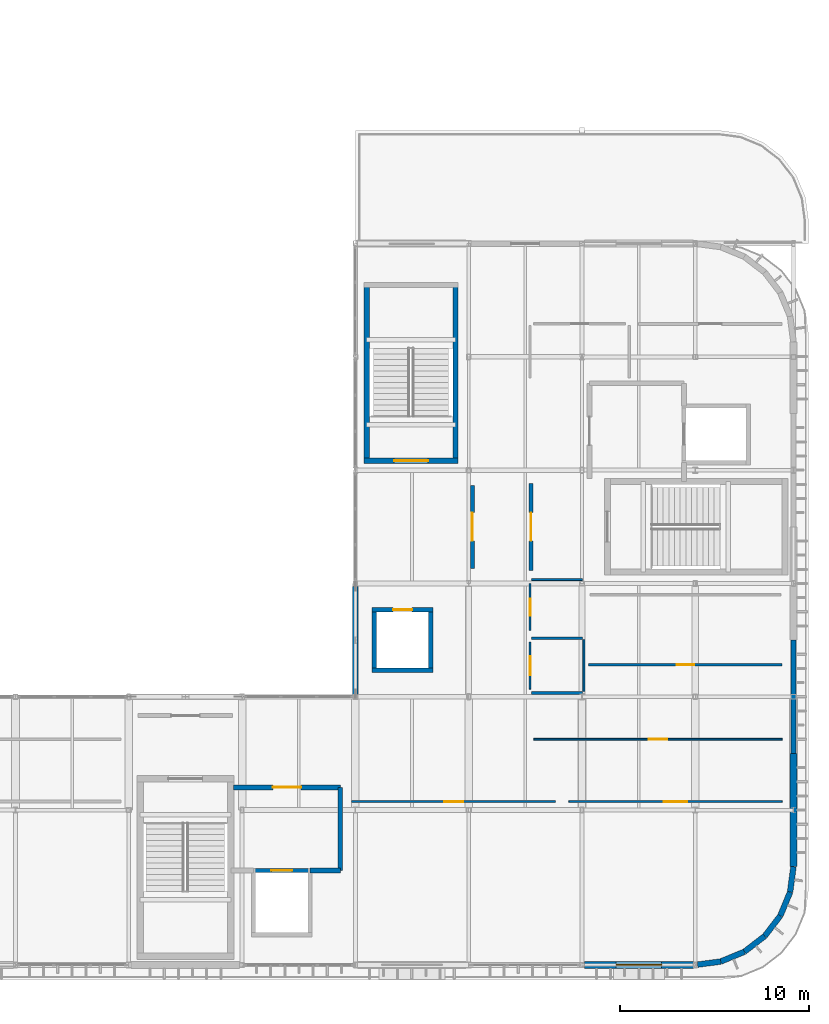
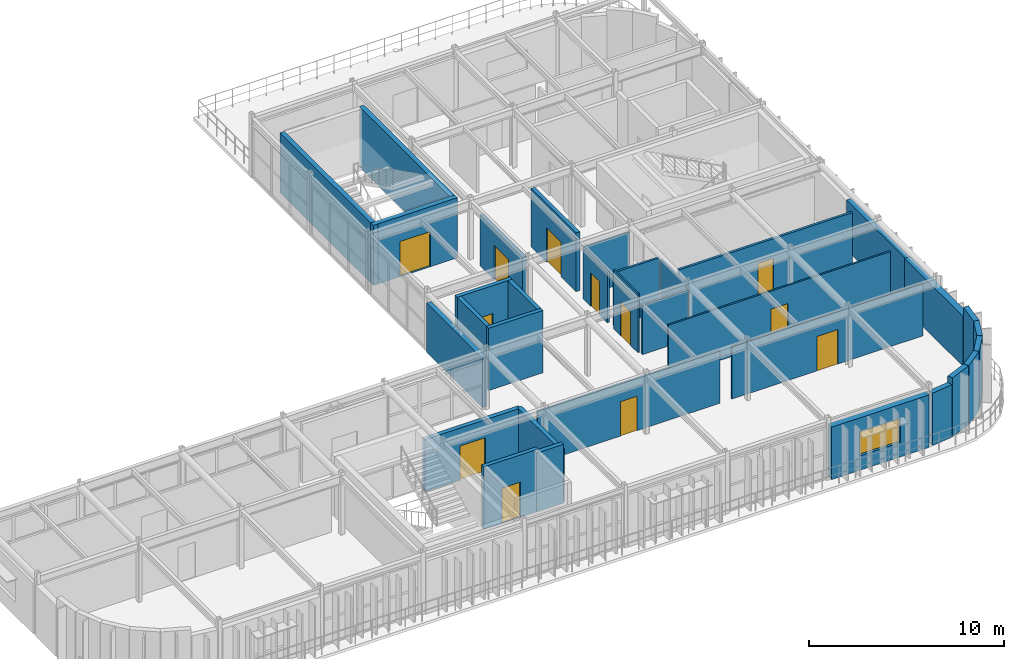
# One storey, part 18 of 27: 33 walls, 12 doors, 1 window, 13 openings.
"""IFC4 building model written with IfcOpenShell, lengths in metres."""

from ifc_helpers import new_model, si_unit, direction, frame, frame_2d, origin, place, context, subcontext, project, spatial, rectangle, extrude, material, layer, layer_set, type_object, element, fill, save


model = new_model("IFC4")

# Units and contexts
model_context = context("Model", 3, precision=1e-05, world=origin(), true_north=direction((0.0, 1.0)))
body_context = subcontext(model_context, "Body", "Model", "MODEL_VIEW")
ifc_project = project(units=[si_unit("LENGTHUNIT", "METRE"), si_unit("AREAUNIT", "SQUARE_METRE"), si_unit("VOLUMEUNIT", "CUBIC_METRE"), si_unit("PLANEANGLEUNIT", "RADIAN"), si_unit("MASSUNIT", "GRAM", prefix="KILO")], contexts=[model_context])

# Site, building, storey
site_placement = place(None, origin())
site = spatial("IfcSite", under=ifc_project, at=site_placement, CompositionType="ELEMENT")
building_placement = place(site_placement, origin())
building = spatial("IfcBuilding", under=site, at=building_placement, Name="Varnakota Square Police Headquarters", CompositionType="ELEMENT")
storey_placement = place(building_placement, frame((0.0, 0.0, 26.10009765625)))
storey = spatial("IfcBuildingStorey", under=building, at=storey_placement, Name="L06", CompositionType="ELEMENT", Elevation=26.10009765625)

# Wall, opening, door
ifc_material_1 = material(Name="Concrete M40", Category="concrete")
ifc_layer_1 = layer(ifc_material_1, 0.22998046875, Name="Concrete M40")
ifc_layer_set_1 = layer_set([ifc_layer_1], Name="Concrete M40")
wall_type_1 = type_object("IfcWallType", Name="WL-CORE-230", PredefinedType="SHEAR", material=ifc_layer_set_1)
wall_1_placement = place(storey_placement, frame((135.715087890625, 5.800048828125, 0.0), z_axis=(0.0, 0.0, 1.0), x_axis=(-1.0, 0.0, 0.0)))
wall_1 = element("IfcWall", 1, at=wall_1_placement, inside=storey, type_object=wall_type_1, Name="Lift shaft wall LF-FF1 L06 N", PredefinedType="SHEAR", context=body_context, shape_type="SweptSolid", body=[
    extrude(rectangle(XDim=3.22998046875, YDim=0.22998046875, at=frame_2d((1.614990234375, 0.0))), origin(), (0.0, 0.0, 1.0), 3.89990234375),
])
opening_1_placement = place(wall_1_placement, frame((1.06494140625, 0.0, 0.0)))
opening_1 = element("IfcOpeningElement", 2, at=opening_1_placement, cuts=wall_1, Name="Opening LD007", PredefinedType="OPENING", context=body_context, shape_type="SweptSolid", body=[
    extrude(rectangle(XDim=1.10009765625, YDim=2.199951171875, at=frame_2d((0.550048828125, 1.10009765625))), frame((0.0, 0.125, 0.0), z_axis=(0.0, -1.0, 0.0), x_axis=(1.0, 0.0, 0.0)), (0.0, 0.0, 1.0), 0.25),
])
ifc_material_2 = material(Name="Brushed Grade 316 Stainless Steel", Category="steel")
door_type_1 = type_object("IfcDoorType", Name="DR-LD-FF", OperationType="NOTDEFINED", PredefinedType="DOOR", material=ifc_material_2)
door_1_placement = place(opening_1_placement, origin())
door_1 = element("IfcDoor", 3, at=door_1_placement, inside=storey, type_object=door_type_1, Name="Lift sliding landing door LD007", OperationType="SLIDING_TO_LEFT", OverallHeight=2.199951171875, OverallWidth=1.10009765625, PredefinedType="DOOR", context=body_context, shape_type="SweptSolid", body=[
    extrude(rectangle(XDim=1.10009765625, YDim=2.199951171875, at=frame_2d((0.550048828125, 1.10009765625))), frame((0.0, 0.02490234375, 0.0), z_axis=(0.0, -1.0, 0.0), x_axis=(1.0, 0.0, 0.0)), (0.0, 0.0, 1.0), 0.050048828125),
])
fill(opening_1, door_1)

# Walls
wall_2_placement = place(storey_placement, frame((138.885009765625, 16.39990234375, 0.0), z_axis=(0.0, 0.0, 1.0), x_axis=(1.0, 0.0, 0.0)))
element("IfcWall", 4, at=wall_2_placement, inside=storey, type_object=wall_type_1, Name="Lift shaft wall LF-P1 L06 S", PredefinedType="SHEAR", context=body_context, shape_type="SweptSolid", body=[
    extrude(rectangle(XDim=3.22998046875, YDim=0.22998046875, at=frame_2d((1.614990234375, 0.0))), origin(), (0.0, 0.0, 1.0), 3.89990234375),
])
wall_3_placement = place(storey_placement, frame((142.0, 16.284912109375, 0.0), z_axis=(0.0, 0.0, 1.0), x_axis=(0.0, 1.0, 0.0)))
element("IfcWall", 5, at=wall_3_placement, inside=storey, type_object=wall_type_1, Name="Lift shaft wall LF-P1 L06 E", PredefinedType="SHEAR", context=body_context, shape_type="SweptSolid", body=[
    extrude(rectangle(XDim=3.43017578125, YDim=0.22998046875, at=frame_2d((1.715087890625, 0.0))), origin(), (0.0, 0.0, 1.0), 3.89990234375),
])

# Wall, opening, door
wall_4_placement = place(storey_placement, frame((142.114990234375, 19.60009765625, 0.0), z_axis=(0.0, 0.0, 1.0), x_axis=(-1.0, 0.0, 0.0)))
wall_4 = element("IfcWall", 6, at=wall_4_placement, inside=storey, type_object=wall_type_1, Name="Lift shaft wall LF-P1 L06 N", PredefinedType="SHEAR", context=body_context, shape_type="SweptSolid", body=[
    extrude(rectangle(XDim=3.22998046875, YDim=0.22998046875, at=frame_2d((1.614990234375, 0.0))), origin(), (0.0, 0.0, 1.0), 3.89990234375),
])
opening_2_placement = place(wall_4_placement, frame((1.114990234375, 0.0, 0.0)))
opening_2 = element("IfcOpeningElement", 7, at=opening_2_placement, cuts=wall_4, Name="Opening LD023", PredefinedType="OPENING", context=body_context, shape_type="SweptSolid", body=[
    extrude(rectangle(XDim=1.0, YDim=2.14990234375, at=frame_2d((0.5, 1.074951171875))), frame((0.0, 0.125, 0.0), z_axis=(0.0, -1.0, 0.0), x_axis=(1.0, 0.0, 0.0)), (0.0, 0.0, 1.0), 0.25),
])
door_type_2 = type_object("IfcDoorType", Name="DR-LD-PAX", OperationType="NOTDEFINED", PredefinedType="DOOR", material=ifc_material_2)
door_2_placement = place(opening_2_placement, origin())
door_2 = element("IfcDoor", 8, at=door_2_placement, inside=storey, type_object=door_type_2, Name="Lift sliding landing door LD023", OperationType="SLIDING_TO_LEFT", OverallHeight=2.14990234375, OverallWidth=1.0, PredefinedType="DOOR", context=body_context, shape_type="SweptSolid", body=[
    extrude(rectangle(XDim=1.0, YDim=2.14990234375, at=frame_2d((0.5, 1.074951171875))), frame((0.0, 0.02490234375, 0.0), z_axis=(0.0, -1.0, 0.0), x_axis=(1.0, 0.0, 0.0)), (0.0, 0.0, 1.0), 0.050048828125),
])
fill(opening_2, door_2)

# Wall
wall_5_placement = place(storey_placement, frame((139.0, 19.715087890625, 0.0), z_axis=(0.0, 0.0, 1.0), x_axis=(0.0, -1.0, 0.0)))
element("IfcWall", 9, at=wall_5_placement, inside=storey, type_object=wall_type_1, Name="Lift shaft wall LF-P1 L06 W", PredefinedType="SHEAR", context=body_context, shape_type="SweptSolid", body=[
    extrude(rectangle(XDim=3.43017578125, YDim=0.22998046875, at=frame_2d((1.715087890625, 0.0))), origin(), (0.0, 0.0, 1.0), 3.89990234375),
])

# Wall, opening, door
ifc_material_3 = material(Name="Concrete M50", Category="concrete")
ifc_layer_2 = layer(ifc_material_3, 0.27001953125, Name="Concrete M50")
ifc_layer_set_2 = layer_set([ifc_layer_2], Name="Concrete M50")
wall_type_2 = type_object("IfcWallType", Name="WL-CORE-270", PredefinedType="SHEAR", material=ifc_layer_set_2)
wall_6_placement = place(storey_placement, frame((138.465087890625, 27.5, 0.0), z_axis=(0.0, 0.0, 1.0), x_axis=(1.0, 0.0, 0.0)))
wall_6 = element("IfcWall", 10, at=wall_6_placement, inside=storey, type_object=wall_type_2, Name="Core C3 shear wall L06 S", PredefinedType="SHEAR", context=body_context, shape_type="SweptSolid", body=[
    extrude(rectangle(XDim=4.969970703125, YDim=0.27001953125, at=frame_2d((2.48486328125, 0.0))), origin(), (0.0, 0.0, 1.0), 3.760009765625),
])
opening_3_placement = place(wall_6_placement, frame((1.5849609375, 0.0, 0.0)))
opening_3 = element("IfcOpeningElement", 11, at=opening_3_placement, cuts=wall_6, Name="Opening SD055", PredefinedType="OPENING", context=body_context, shape_type="SweptSolid", body=[
    extrude(rectangle(XDim=1.800048828125, YDim=2.199951171875, at=frame_2d((0.89990234375, 1.10009765625))), frame((0.0, 0.14501953125, 0.0), z_axis=(0.0, -1.0, 0.0), x_axis=(1.0, 0.0, 0.0)), (0.0, 0.0, 1.0), 0.2900390625),
])
ifc_material_4 = material(Name="Powder-Coated Galvanised Steel", Category="steel")
door_type_3 = type_object("IfcDoorType", Name="DR-ST-180", OperationType="NOTDEFINED", PredefinedType="DOOR", material=ifc_material_4)
door_3_placement = place(opening_3_placement, origin())
door_3 = element("IfcDoor", 12, at=door_3_placement, inside=storey, type_object=door_type_3, Name="Protected stair door SD055", OperationType="DOUBLE_DOOR_SINGLE_SWING", OverallHeight=2.199951171875, OverallWidth=1.800048828125, PredefinedType="DOOR", context=body_context, shape_type="SweptSolid", body=[
    extrude(rectangle(XDim=1.800048828125, YDim=2.199951171875, at=frame_2d((0.89990234375, 1.10009765625))), frame((0.0, 0.02490234375, 0.0), z_axis=(0.0, -1.0, 0.0), x_axis=(1.0, 0.0, 0.0)), (0.0, 0.0, 1.0), 0.050048828125),
])
fill(opening_3, door_3)

# Walls
for number, where, z_axis, x_axis, name in (
    (13, (143.300048828125, 27.364990234375, 0.0), (0.0, 0.0, 1.0), (0.0, 1.0, 0.0), "Core C3 shear wall L06 E"),
    (14, (138.60009765625, 36.93505859375, 0.0), (0.0, 0.0, 1.0), (0.0, -1.0, 0.0), "Core C3 shear wall L06 W"),
):
    element("IfcWall", number, at=place(storey_placement, frame(where, z_axis=z_axis, x_axis=x_axis)), inside=storey, type_object=wall_type_2, Name=name, PredefinedType="SHEAR", context=body_context, shape_type="SweptSolid", body=[
        extrude(rectangle(XDim=9.570068359375, YDim=0.27001953125, at=frame_2d((4.78515625, 0.0))), origin(), (0.0, 0.0, 1.0), 3.760009765625),
    ])
ifc_layer_3 = layer(ifc_material_1, 0.280029296875, Name="Concrete M40")
ifc_layer_set_3 = layer_set([ifc_layer_3], Name="Concrete M40")
wall_type_3 = type_object("IfcWallType", Name="WL-EXT-280", PredefinedType="SOLIDWALL", material=ifc_layer_set_3)
wall_7_placement = place(storey_placement, frame((161.199951171875, 12.0, 0.0), z_axis=(0.0, 0.0, 1.0), x_axis=(0.0, 1.0, 0.0)))
element("IfcWall", 15, at=wall_7_placement, inside=storey, type_object=wall_type_3, Name="Exterior wall EW-L06-0321", PredefinedType="SOLIDWALL", context=body_context, shape_type="SweptSolid", body=[
    extrude(rectangle(XDim=6.0, YDim=0.280029296875, at=frame_2d((3.0, 0.0))), origin(), (0.0, 0.0, 1.0), 3.1298828125),
])
wall_8_placement = place(storey_placement, frame((138.0, 15.12890625, 0.0), z_axis=(0.0, 0.0, 1.0), x_axis=(0.0, 1.0, 0.0)))
element("IfcWall", 16, at=wall_8_placement, inside=storey, type_object=wall_type_3, Name="Exterior wall EW-L06-0326", PredefinedType="SOLIDWALL", context=body_context, shape_type="SweptSolid", body=[
    extrude(rectangle(XDim=5.717041015625, YDim=0.280029296875, at=frame_2d((2.8583984375, 0.0))), origin(), (0.0, 0.0, 1.0), 3.079833984375),
])
ifc_material_5 = material(Name="Precast concrete M40", Category="concrete")
ifc_layer_4 = layer(ifc_material_5, 0.300048828125, Name="Precast concrete M40")
ifc_layer_set_4 = layer_set([ifc_layer_4], Name="Precast concrete M40")
wall_type_4 = type_object("IfcWallType", Name="WL-EXT-300", PredefinedType="SOLIDWALL", material=ifc_layer_set_4)
wall_9_placement = place(storey_placement, frame((156.12158203125, 0.81591796875, 0.0), z_axis=(0.0, 0.0, 1.0), x_axis=(0.991425337339, 0.130674406377, 0.0)))
element("IfcWall", 17, at=wall_9_placement, inside=storey, type_object=wall_type_4, Name="Exterior wall EW-L06-0338", PredefinedType="SOLIDWALL", context=body_context, shape_type="SweptSolid", body=[
    extrude(rectangle(XDim=1.23486328125, YDim=0.300048828125, at=frame_2d((0.617431640625, 0.0))), origin(), (0.0, 0.0, 1.0), 3.27978515625),
])
for number, where, z_axis, x_axis, name in (
    (18, (157.345947265625, 0.977294921875, 0.0), (0.0, 0.0, 1.0), (0.923931353894, 0.382558300513, 0.0), "Exterior wall EW-L06-0339"),
    (19, (158.60009765625, 1.49658203125, 0.0), (0.0, 0.0, 1.0), (0.793325486746, 0.608797726736, 0.0), "Exterior wall EW-L06-0340"),
    (20, (159.677001953125, 2.322998046875, 0.0), (0.0, 0.0, 1.0), (0.608797726736, 0.793325486746, 0.0), "Exterior wall EW-L06-0341"),
    (21, (160.50341796875, 3.39990234375, 0.0), (0.0, 0.0, 1.0), (0.382558300513, 0.923931353894, 0.0), "Exterior wall EW-L06-0342"),
):
    element("IfcWall", number, at=place(storey_placement, frame(where, z_axis=z_axis, x_axis=x_axis)), inside=storey, type_object=wall_type_4, Name=name, PredefinedType="SOLIDWALL", context=body_context, shape_type="SweptSolid", body=[
        extrude(rectangle(XDim=1.357421875, YDim=0.300048828125, at=frame_2d((0.6787109375, 0.0))), origin(), (0.0, 0.0, 1.0), 3.684814453125),
    ])
wall_10_placement = place(storey_placement, frame((161.022705078125, 4.654052734375, 0.0), z_axis=(0.0, 0.0, 1.0), x_axis=(0.130561507967, 0.991440211328, 0.0)))
element("IfcWall", 22, at=wall_10_placement, inside=storey, type_object=wall_type_4, Name="Exterior wall EW-L06-0343", PredefinedType="SOLIDWALL", context=body_context, shape_type="SweptSolid", body=[
    extrude(rectangle(XDim=1.357666015625, YDim=0.300048828125, at=frame_2d((0.6787109375, 0.0))), origin(), (0.0, 0.0, 1.0), 3.684814453125),
])

# Wall, opening, window
ifc_layer_5 = layer(ifc_material_1, 0.360107421875, Name="Concrete M40")
ifc_layer_set_5 = layer_set([ifc_layer_5], Name="Concrete M40")
wall_type_5 = type_object("IfcWallType", Name="WL-EXT-360", PredefinedType="SOLIDWALL", material=ifc_layer_set_5)
wall_11_placement = place(storey_placement, frame((150.12890625, 0.800048828125, 0.0), z_axis=(0.0, 0.0, 1.0), x_axis=(1.0, 0.0, 0.0)))
wall_11 = element("IfcWall", 23, at=wall_11_placement, inside=storey, type_object=wall_type_5, Name="Exterior wall EW-L06-0319", PredefinedType="SOLIDWALL", context=body_context, shape_type="SweptSolid", body=[
    extrude(rectangle(XDim=5.76708984375, YDim=0.360107421875, at=frame_2d((2.883544921875, 0.0))), origin(), (0.0, 0.0, 1.0), 3.27978515625),
])
opening_4_placement = place(wall_11_placement, frame((1.68359375, 0.0, 0.89990234375)))
opening_4 = element("IfcOpeningElement", 24, at=opening_4_placement, cuts=wall_11, Name="Opening W02", PredefinedType="OPENING", context=body_context, shape_type="SweptSolid", body=[
    extrude(rectangle(XDim=2.39990234375, YDim=1.5, at=frame_2d((1.199951171875, 0.75))), frame((0.0, 0.18994140625, 0.0), z_axis=(0.0, -1.0, 0.0), x_axis=(1.0, 0.0, 0.0)), (0.0, 0.0, 1.0), 0.380126953125),
])
ifc_material_6 = material(Name="Thermally Broken Aluminium Double-Glazed Window", Category="aluminium")
window_type = type_object("IfcWindowType", Name="WIN-02", PartitioningType="SINGLE_PANEL", PredefinedType="WINDOW", material=ifc_material_6)
window_placement = place(opening_4_placement, origin())
window = element("IfcWindow", 25, at=window_placement, inside=storey, type_object=window_type, Name="Window WN-L06-0056", OverallHeight=1.5, OverallWidth=2.39990234375, PartitioningType="SINGLE_PANEL", PredefinedType="WINDOW", context=body_context, shape_type="SweptSolid", body=[
    extrude(rectangle(XDim=2.39990234375, YDim=1.5, at=frame_2d((1.199951171875, 0.75))), frame((0.0, 0.030029296875, 0.0), z_axis=(0.0, -1.0, 0.0), x_axis=(1.0, 0.0, 0.0)), (0.0, 0.0, 1.0), 0.06005859375),
])
fill(opening_4, window)

# Wall
wall_12_placement = place(storey_placement, frame((161.199951171875, 6.0, 0.0), z_axis=(0.0, 0.0, 1.0), x_axis=(0.0, 1.0, 0.0)))
element("IfcWall", 26, at=wall_12_placement, inside=storey, type_object=wall_type_5, Name="Exterior wall EW-L06-0320", PredefinedType="SOLIDWALL", context=body_context, shape_type="SweptSolid", body=[
    extrude(rectangle(XDim=6.0, YDim=0.360107421875, at=frame_2d((3.0, 0.0))), origin(), (0.0, 0.0, 1.0), 3.1298828125),
])

# Wall, opening, door
ifc_material_7 = material(Name="Lightweight Demountable Office Partition", Category="gypsum")
ifc_layer_6 = layer(ifc_material_7, 0.094970703125, Name="Lightweight Demountable Office Partition")
ifc_layer_set_6 = layer_set([ifc_layer_6], Name="Lightweight Demountable Office Partition")
wall_type_6 = type_object("IfcWallType", Name="WL-PRT-095", PredefinedType="PARTITIONING", material=ifc_layer_set_6)
wall_13_placement = place(storey_placement, frame((147.25, 15.39990234375, 0.0), z_axis=(0.0, 0.0, 1.0), x_axis=(0.0, 1.0, 0.0)))
wall_13 = element("IfcWall", 27, at=wall_13_placement, inside=storey, type_object=wall_type_6, Name="Interior partition PW-L06-0245 (L06 Accessible WC East)", PredefinedType="PARTITIONING", context=body_context, shape_type="SweptSolid", body=[
    extrude(rectangle(XDim=2.5, YDim=0.094970703125, at=frame_2d((1.25, 0.0))), origin(), (0.0, 0.0, 1.0), 3.679931640625),
])
opening_5_placement = place(wall_13_placement, frame((0.75, 0.0, 0.0)))
opening_5 = element("IfcOpeningElement", 28, at=opening_5_placement, cuts=wall_13, Name="Opening D288", PredefinedType="OPENING", context=body_context, shape_type="SweptSolid", body=[
    extrude(rectangle(XDim=1.0, YDim=2.10009765625, at=frame_2d((0.5, 1.050048828125))), frame((0.0, 0.057373046875, 0.0), z_axis=(0.0, -1.0, 0.0), x_axis=(1.0, 0.0, 0.0)), (0.0, 0.0, 1.0), 0.114990234375),
])
ifc_material_8 = material(Name="Antimicrobial High-Pressure Compact Laminate")
door_type_4 = type_object("IfcDoorType", Name="DR-WCA-100", OperationType="NOTDEFINED", PredefinedType="DOOR", material=ifc_material_8)
door_4_placement = place(opening_5_placement, origin())
door_4 = element("IfcDoor", 29, at=door_4_placement, inside=storey, type_object=door_type_4, Name="Room door D288 (L06 Accessible WC East)", OperationType="SINGLE_SWING_RIGHT", OverallHeight=2.10009765625, OverallWidth=1.0, PredefinedType="DOOR", context=body_context, shape_type="SweptSolid", body=[
    extrude(rectangle(XDim=1.0, YDim=2.10009765625, at=frame_2d((0.5, 1.050048828125))), frame((0.0, 0.02490234375, 0.0), z_axis=(0.0, -1.0, 0.0), x_axis=(1.0, 0.0, 0.0)), (0.0, 0.0, 1.0), 0.050048828125),
])
fill(opening_5, door_4)

wall_14_placement = place(storey_placement, frame((149.300048828125, 9.449951171875, 0.0), z_axis=(0.0, 0.0, 1.0), x_axis=(1.0, 0.0, 0.0)))
wall_14 = element("IfcWall", 30, at=wall_14_placement, inside=storey, type_object=wall_type_6, Name="Interior partition PW-L06-0250 (Witness Protection Counseling and Medical Room)", PredefinedType="PARTITIONING", context=body_context, shape_type="SweptSolid", body=[
    extrude(rectangle(XDim=11.300048828125, YDim=0.094970703125, at=frame_2d((5.64990234375, 0.0))), origin(), (0.0, 0.0, 1.0), 3.2734375),
])
opening_6_placement = place(wall_14_placement, frame((5.02490234375, 0.0, 0.0)))
opening_6 = element("IfcOpeningElement", 31, at=opening_6_placement, cuts=wall_14, Name="Opening D293", PredefinedType="OPENING", context=body_context, shape_type="SweptSolid", body=[
    extrude(rectangle(XDim=1.25, YDim=2.14990234375, at=frame_2d((0.625, 1.074951171875))), frame((0.0, 0.057373046875, 0.0), z_axis=(0.0, -1.0, 0.0), x_axis=(1.0, 0.0, 0.0)), (0.0, 0.0, 1.0), 0.114990234375),
])
ifc_material_9 = material(Name="Stainless-Edge Hygienic Phenolic Composite")
door_type_5 = type_object("IfcDoorType", Name="DR-MED-125", OperationType="NOTDEFINED", PredefinedType="DOOR", material=ifc_material_9)
door_5_placement = place(opening_6_placement, origin())
door_5 = element("IfcDoor", 32, at=door_5_placement, inside=storey, type_object=door_type_5, Name="Room door D293 (Witness Protection Counseling and Medical Room)", OperationType="SINGLE_SWING_LEFT", OverallHeight=2.14990234375, OverallWidth=1.25, PredefinedType="DOOR", context=body_context, shape_type="SweptSolid", body=[
    extrude(rectangle(XDim=1.25, YDim=2.14990234375, at=frame_2d((0.625, 1.074951171875))), frame((0.0, 0.02490234375, 0.0), z_axis=(0.0, -1.0, 0.0), x_axis=(1.0, 0.0, 0.0)), (0.0, 0.0, 1.0), 0.050048828125),
])
fill(opening_6, door_5)

# Wall
wall_15_placement = place(storey_placement, frame((150.10009765625, 18.02001953125, 0.0), z_axis=(0.0, 0.0, 1.0), x_axis=(0.0, -1.0, 0.0)))
element("IfcWall", 33, at=wall_15_placement, inside=storey, type_object=wall_type_6, Name="Interior dividing partition PW-L06-0255 (L06 Accessible WC East)", PredefinedType="PARTITIONING", context=body_context, shape_type="SweptSolid", body=[
    extrude(rectangle(XDim=2.739990234375, YDim=0.094970703125, at=frame_2d((1.3701171875, 0.0))), origin(), (0.0, 0.0, 1.0), 3.2734375),
])

# Wall, opening, door
ifc_material_10 = material(Name="Glazed Clean-Lab Modular Partition", Category="gypsum")
ifc_layer_7 = layer(ifc_material_10, 0.10498046875, Name="Glazed Clean-Lab Modular Partition")
ifc_layer_set_7 = layer_set([ifc_layer_7], Name="Glazed Clean-Lab Modular Partition")
wall_type_7 = type_object("IfcWallType", Name="WL-PRT-105", PredefinedType="PARTITIONING", material=ifc_layer_set_7)
wall_16_placement = place(storey_placement, frame((160.60009765625, 12.75, 0.0), z_axis=(0.0, 0.0, 1.0), x_axis=(-1.0, 0.0, 0.0)))
wall_16 = element("IfcWall", 34, at=wall_16_placement, inside=storey, type_object=wall_type_7, Name="Interior partition PW-L06-0252 (Economic Offences Case Archive Store)", PredefinedType="PARTITIONING", context=body_context, shape_type="SweptSolid", body=[
    extrude(rectangle(XDim=13.150146484375, YDim=0.10498046875, at=frame_2d((6.5751953125, 0.0))), origin(), (0.0, 0.0, 1.0), 3.2734375),
])
opening_7_placement = place(wall_16_placement, frame((6.074951171875, 0.0, 0.0)))
opening_7 = element("IfcOpeningElement", 35, at=opening_7_placement, cuts=wall_16, Name="Opening D295", PredefinedType="OPENING", context=body_context, shape_type="SweptSolid", body=[
    extrude(rectangle(XDim=1.0, YDim=2.14990234375, at=frame_2d((0.5, 1.074951171875))), frame((0.0, 0.0625, 0.0), z_axis=(0.0, -1.0, 0.0), x_axis=(1.0, 0.0, 0.0)), (0.0, 0.0, 1.0), 0.125),
])
ifc_material_11 = material(Name="Solid-Core Teak Veneer Hardwood", Category="wood")
door_type_6 = type_object("IfcDoorType", Name="DR-OFF-100", OperationType="NOTDEFINED", PredefinedType="DOOR", material=ifc_material_11)
door_6_placement = place(opening_7_placement, origin())
door_6 = element("IfcDoor", 36, at=door_6_placement, inside=storey, type_object=door_type_6, Name="Room door D295 (Economic Offences Case Archive Store)", OperationType="SINGLE_SWING_RIGHT", OverallHeight=2.14990234375, OverallWidth=1.0, PredefinedType="DOOR", context=body_context, shape_type="SweptSolid", body=[
    extrude(rectangle(XDim=1.0, YDim=2.14990234375, at=frame_2d((0.5, 1.074951171875))), frame((0.0, 0.02490234375, 0.0), z_axis=(0.0, -1.0, 0.0), x_axis=(1.0, 0.0, 0.0)), (0.0, 0.0, 1.0), 0.050048828125),
])
fill(opening_7, door_6)

# Wall
wall_17_placement = place(storey_placement, frame((147.330078125, 21.199951171875, 0.0), z_axis=(0.0, 0.0, 1.0), x_axis=(1.0, 0.0, 0.0)))
element("IfcWall", 37, at=wall_17_placement, inside=storey, type_object=wall_type_7, Name="Interior dividing partition PW-L06-0258 (L06 Operations Men Washroom WC)", PredefinedType="PARTITIONING", context=body_context, shape_type="SweptSolid", body=[
    extrude(rectangle(XDim=2.68994140625, YDim=0.10498046875, at=frame_2d((1.344970703125, 0.0))), origin(), (0.0, 0.0, 1.0), 3.079833984375),
])

# Wall, opening, door
ifc_material_12 = material(Name="Moisture-Resistant Tile-Backed Partition", Category="gypsum")
ifc_layer_8 = layer(ifc_material_12, 0.114990234375, Name="Moisture-Resistant Tile-Backed Partition")
ifc_layer_set_8 = layer_set([ifc_layer_8], Name="Moisture-Resistant Tile-Backed Partition")
wall_type_8 = type_object("IfcWallType", Name="WL-PRT-115", PredefinedType="PARTITIONING", material=ifc_layer_set_8)
wall_18_placement = place(storey_placement, frame((137.800048828125, 9.449951171875, 0.0), z_axis=(0.0, 0.0, 1.0), x_axis=(1.0, 0.0, 0.0)))
wall_18 = element("IfcWall", 38, at=wall_18_placement, inside=storey, type_object=wall_type_8, Name="Interior partition PW-L06-0249 (Women Safety and Bharosa Support Suite)", PredefinedType="PARTITIONING", context=body_context, shape_type="SweptSolid", body=[
    extrude(rectangle(XDim=10.800048828125, YDim=0.114990234375, at=frame_2d((5.39990234375, 0.0))), origin(), (0.0, 0.0, 1.0), 3.2734375),
])
opening_8_placement = place(wall_18_placement, frame((4.89990234375, 0.0, 0.0)))
opening_8 = element("IfcOpeningElement", 39, at=opening_8_placement, cuts=wall_18, Name="Opening D292", PredefinedType="OPENING", context=body_context, shape_type="SweptSolid", body=[
    extrude(rectangle(XDim=1.0, YDim=2.14990234375, at=frame_2d((0.5, 1.074951171875))), frame((0.0, 0.0673828125, 0.0), z_axis=(0.0, -1.0, 0.0), x_axis=(1.0, 0.0, 0.0)), (0.0, 0.0, 1.0), 0.135009765625),
])
door_7_placement = place(opening_8_placement, origin())
door_7 = element("IfcDoor", 40, at=door_7_placement, inside=storey, type_object=door_type_6, Name="Room door D292 (Women Safety and Bharosa Support Suite)", OperationType="SINGLE_SWING_RIGHT", OverallHeight=2.14990234375, OverallWidth=1.0, PredefinedType="DOOR", context=body_context, shape_type="SweptSolid", body=[
    extrude(rectangle(XDim=1.0, YDim=2.14990234375, at=frame_2d((0.5, 1.074951171875))), frame((0.0, 0.02490234375, 0.0), z_axis=(0.0, -1.0, 0.0), x_axis=(1.0, 0.0, 0.0)), (0.0, 0.0, 1.0), 0.050048828125),
])
fill(opening_8, door_7)

ifc_material_13 = material(Name="Acoustic Insulated Metal-Stud Partition", Category="gypsum")
ifc_layer_9 = layer(ifc_material_13, 0.125, Name="Acoustic Insulated Metal-Stud Partition")
ifc_layer_set_9 = layer_set([ifc_layer_9], Name="Acoustic Insulated Metal-Stud Partition")
wall_type_9 = type_object("IfcWallType", Name="WL-PRT-125", PredefinedType="PARTITIONING", material=ifc_layer_set_9)
wall_19_placement = place(storey_placement, frame((147.25, 18.5, 0.0), z_axis=(0.0, 0.0, 1.0), x_axis=(0.0, 1.0, 0.0)))
wall_19 = element("IfcWall", 41, at=wall_19_placement, inside=storey, type_object=wall_type_9, Name="Interior partition PW-L06-0246 (L06 Operations Men Washroom WC)", PredefinedType="PARTITIONING", context=body_context, shape_type="SweptSolid", body=[
    extrude(rectangle(XDim=2.5, YDim=0.125, at=frame_2d((1.25, 0.0))), origin(), (0.0, 0.0, 1.0), 3.179931640625),
])
opening_9_placement = place(wall_19_placement, frame((0.800048828125, 0.0, 0.0)))
opening_9 = element("IfcOpeningElement", 42, at=opening_9_placement, cuts=wall_19, Name="Opening D289", PredefinedType="OPENING", context=body_context, shape_type="SweptSolid", body=[
    extrude(rectangle(XDim=0.89990234375, YDim=2.10009765625, at=frame_2d((0.449951171875, 1.050048828125))), frame((0.0, 0.072509765625, 0.0), z_axis=(0.0, -1.0, 0.0), x_axis=(1.0, 0.0, 0.0)), (0.0, 0.0, 1.0), 0.14501953125),
])
ifc_material_14 = material(Name="High-Pressure Moisture-Resistant Compact Laminate")
door_type_7 = type_object("IfcDoorType", Name="DR-WC-090", OperationType="NOTDEFINED", PredefinedType="DOOR", material=ifc_material_14)
door_8_placement = place(opening_9_placement, origin())
door_8 = element("IfcDoor", 43, at=door_8_placement, inside=storey, type_object=door_type_7, Name="Room door D289 (L06 Operations Men Washroom WC)", OperationType="SINGLE_SWING_LEFT", OverallHeight=2.10009765625, OverallWidth=0.89990234375, PredefinedType="DOOR", context=body_context, shape_type="SweptSolid", body=[
    extrude(rectangle(XDim=0.89990234375, YDim=2.10009765625, at=frame_2d((0.449951171875, 1.050048828125))), frame((0.0, 0.02490234375, 0.0), z_axis=(0.0, -1.0, 0.0), x_axis=(1.0, 0.0, 0.0)), (0.0, 0.0, 1.0), 0.050048828125),
])
fill(opening_9, door_8)

# Wall
wall_20_placement = place(storey_placement, frame((147.330078125, 18.10009765625, 0.0), z_axis=(0.0, 0.0, 1.0), x_axis=(1.0, 0.0, 0.0)))
element("IfcWall", 44, at=wall_20_placement, inside=storey, type_object=wall_type_9, Name="Interior dividing partition PW-L06-0257 (L06 Accessible WC East)", PredefinedType="PARTITIONING", context=body_context, shape_type="SweptSolid", body=[
    extrude(rectangle(XDim=2.68994140625, YDim=0.125, at=frame_2d((1.344970703125, 0.0))), origin(), (0.0, 0.0, 1.0), 3.35595703125),
])

# Wall, opening, door
ifc_layer_10 = layer(ifc_material_13, 0.139892578125, Name="Acoustic Insulated Metal-Stud Partition")
ifc_layer_set_10 = layer_set([ifc_layer_10], Name="Acoustic Insulated Metal-Stud Partition")
wall_type_10 = type_object("IfcWallType", Name="WL-PRT-140", PredefinedType="PARTITIONING", material=ifc_layer_set_10)
wall_21_placement = place(storey_placement, frame((160.60009765625, 16.699951171875, 0.0), z_axis=(0.0, 0.0, 1.0), x_axis=(-1.0, 0.0, 0.0)))
wall_21 = element("IfcWall", 45, at=wall_21_placement, inside=storey, type_object=wall_type_10, Name="Interior partition PW-L06-0253 (Sixth Floor Staff Dining Pantry)", PredefinedType="PARTITIONING", context=body_context, shape_type="SweptSolid", body=[
    extrude(rectangle(XDim=10.25, YDim=0.139892578125, at=frame_2d((5.125, 0.0))), origin(), (0.0, 0.0, 1.0), 3.329833984375),
])
opening_10_placement = place(wall_21_placement, frame((4.6650390625, 0.0, 0.0)))
opening_10 = element("IfcOpeningElement", 46, at=opening_10_placement, cuts=wall_21, Name="Opening D296", PredefinedType="OPENING", context=body_context, shape_type="SweptSolid", body=[
    extrude(rectangle(XDim=0.919921875, YDim=2.10009765625, at=frame_2d((0.4599609375, 1.050048828125))), frame((0.0, 0.079833984375, 0.0), z_axis=(0.0, -1.0, 0.0), x_axis=(1.0, 0.0, 0.0)), (0.0, 0.0, 1.0), 0.159912109375),
])
ifc_material_15 = material(Name="High-Pressure Melamine-Faced Hardwood Core", Category="wood")
door_type_8 = type_object("IfcDoorType", Name="DR-PAN-092", OperationType="NOTDEFINED", PredefinedType="DOOR", material=ifc_material_15)
door_9_placement = place(opening_10_placement, origin())
door_9 = element("IfcDoor", 47, at=door_9_placement, inside=storey, type_object=door_type_8, Name="Room door D296 (Sixth Floor Staff Dining Pantry)", OperationType="SINGLE_SWING_LEFT", OverallHeight=2.10009765625, OverallWidth=0.919921875, PredefinedType="DOOR", context=body_context, shape_type="SweptSolid", body=[
    extrude(rectangle(XDim=0.919921875, YDim=2.10009765625, at=frame_2d((0.4599609375, 1.050048828125))), frame((0.0, 0.02490234375, 0.0), z_axis=(0.0, -1.0, 0.0), x_axis=(1.0, 0.0, 0.0)), (0.0, 0.0, 1.0), 0.050048828125),
])
fill(opening_10, door_9)

# Wall
wall_22_placement = place(storey_placement, frame((150.02001953125, 15.199951171875, 0.0), z_axis=(0.0, 0.0, 1.0), x_axis=(-1.0, 0.0, 0.0)))
element("IfcWall", 48, at=wall_22_placement, inside=storey, type_object=wall_type_10, Name="Interior dividing partition PW-L06-0256 (L06 Accessible WC East)", PredefinedType="PARTITIONING", context=body_context, shape_type="SweptSolid", body=[
    extrude(rectangle(XDim=2.68994140625, YDim=0.139892578125, at=frame_2d((1.344970703125, 0.0))), origin(), (0.0, 0.0, 1.0), 3.079833984375),
])

# Wall, opening, door
ifc_layer_11 = layer(ifc_material_1, 0.215087890625, Name="Concrete M40")
ifc_layer_set_11 = layer_set([ifc_layer_11], Name="Concrete M40")
wall_type_11 = type_object("IfcWallType", Name="WL-PRT-215F", PredefinedType="PARTITIONING", material=ifc_layer_set_11)
wall_23_placement = place(storey_placement, frame((147.300048828125, 21.699951171875, 0.0), z_axis=(0.0, 0.0, 1.0), x_axis=(0.0, 1.0, 0.0)))
wall_23 = element("IfcWall", 49, at=wall_23_placement, inside=storey, type_object=wall_type_11, Name="Core C2 lobby fire partition L06", PredefinedType="PARTITIONING", context=body_context, shape_type="SweptSolid", body=[
    extrude(rectangle(XDim=4.60009765625, YDim=0.215087890625, at=frame_2d((2.300048828125, 0.0))), origin(), (0.0, 0.0, 1.0), 3.679931640625),
])
opening_11_placement = place(wall_23_placement, frame((1.550048828125, 0.0, 0.0)))
opening_11 = element("IfcOpeningElement", 50, at=opening_11_placement, cuts=wall_23, Name="Opening FD045", PredefinedType="OPENING", context=body_context, shape_type="SweptSolid", body=[
    extrude(rectangle(XDim=1.5, YDim=2.14990234375, at=frame_2d((0.75, 1.074951171875))), frame((0.0, 0.117431640625, 0.0), z_axis=(0.0, -1.0, 0.0), x_axis=(1.0, 0.0, 0.0)), (0.0, 0.0, 1.0), 0.235107421875),
])
ifc_material_16 = material(Name="Smoke-Sealed Galvanised Acoustic Steel", Category="steel")
door_type_9 = type_object("IfcDoorType", Name="DR-FFL-150", OperationType="NOTDEFINED", PredefinedType="DOOR", material=ifc_material_16)
door_10_placement = place(opening_11_placement, origin())
door_10 = element("IfcDoor", 51, at=door_10_placement, inside=storey, type_object=door_type_9, Name="Core lobby smoke door FD045", OperationType="DOUBLE_DOOR_SINGLE_SWING", OverallHeight=2.14990234375, OverallWidth=1.5, PredefinedType="DOOR", context=body_context, shape_type="SweptSolid", body=[
    extrude(rectangle(XDim=1.5, YDim=2.14990234375, at=frame_2d((0.75, 1.074951171875))), frame((0.0, 0.02490234375, 0.0), z_axis=(0.0, -1.0, 0.0), x_axis=(1.0, 0.0, 0.0)), (0.0, 0.0, 1.0), 0.050048828125),
])
fill(opening_11, door_10)

wall_24_placement = place(storey_placement, frame((144.199951171875, 21.800048828125, 0.0), z_axis=(0.0, 0.0, 1.0), x_axis=(0.0, 1.0, 0.0)))
wall_24 = element("IfcWall", 52, at=wall_24_placement, inside=storey, type_object=wall_type_11, Name="Core C3 lobby fire partition L06", PredefinedType="PARTITIONING", context=body_context, shape_type="SweptSolid", body=[
    extrude(rectangle(XDim=4.39990234375, YDim=0.215087890625, at=frame_2d((2.199951171875, 0.0))), origin(), (0.0, 0.0, 1.0), 3.179931640625),
])
opening_12_placement = place(wall_24_placement, frame((1.449951171875, 0.0, 0.0)))
opening_12 = element("IfcOpeningElement", 53, at=opening_12_placement, cuts=wall_24, Name="Opening FD063", PredefinedType="OPENING", context=body_context, shape_type="SweptSolid", body=[
    extrude(rectangle(XDim=1.5, YDim=2.14990234375, at=frame_2d((0.75, 1.074951171875))), frame((0.0, 0.117431640625, 0.0), z_axis=(0.0, -1.0, 0.0), x_axis=(1.0, 0.0, 0.0)), (0.0, 0.0, 1.0), 0.235107421875),
])
door_11_placement = place(opening_12_placement, origin())
door_11 = element("IfcDoor", 54, at=door_11_placement, inside=storey, type_object=door_type_9, Name="Core lobby smoke door FD063", OperationType="DOUBLE_DOOR_SINGLE_SWING", OverallHeight=2.14990234375, OverallWidth=1.5, PredefinedType="DOOR", context=body_context, shape_type="SweptSolid", body=[
    extrude(rectangle(XDim=1.5, YDim=2.14990234375, at=frame_2d((0.75, 1.074951171875))), frame((0.0, 0.02490234375, 0.0), z_axis=(0.0, -1.0, 0.0), x_axis=(1.0, 0.0, 0.0)), (0.0, 0.0, 1.0), 0.050048828125),
])
fill(opening_12, door_11)

ifc_layer_12 = layer(ifc_material_1, 0.25, Name="Concrete M40")
ifc_layer_set_12 = layer_set([ifc_layer_12], Name="Concrete M40")
wall_type_12 = type_object("IfcWallType", Name="WL-PRT-250F", PredefinedType="PARTITIONING", material=ifc_layer_set_12)
wall_25_placement = place(storey_placement, frame((131.550048828125, 10.199951171875, 0.0), z_axis=(0.0, 0.0, 1.0), x_axis=(1.0, 0.0, 0.0)))
wall_25 = element("IfcWall", 55, at=wall_25_placement, inside=storey, type_object=wall_type_12, Name="Firefighting lobby enclosure C1 L06", PredefinedType="PARTITIONING", context=body_context, shape_type="SweptSolid", body=[
    extrude(rectangle(XDim=5.64990234375, YDim=0.25, at=frame_2d((2.824951171875, 0.0))), origin(), (0.0, 0.0, 1.0), 3.2734375),
])
opening_13_placement = place(wall_25_placement, frame((2.074951171875, 0.0, 0.0)))
opening_13 = element("IfcOpeningElement", 56, at=opening_13_placement, cuts=wall_25, Name="Opening FD022", PredefinedType="OPENING", context=body_context, shape_type="SweptSolid", body=[
    extrude(rectangle(XDim=1.5, YDim=2.14990234375, at=frame_2d((0.75, 1.074951171875))), frame((0.0, 0.135009765625, 0.0), z_axis=(0.0, -1.0, 0.0), x_axis=(1.0, 0.0, 0.0)), (0.0, 0.0, 1.0), 0.27001953125),
])
door_12_placement = place(opening_13_placement, origin())
door_12 = element("IfcDoor", 57, at=door_12_placement, inside=storey, type_object=door_type_9, Name="Firefighting lobby fire door FD022", OperationType="DOUBLE_DOOR_SINGLE_SWING", OverallHeight=2.14990234375, OverallWidth=1.5, PredefinedType="DOOR", context=body_context, shape_type="SweptSolid", body=[
    extrude(rectangle(XDim=1.5, YDim=2.14990234375, at=frame_2d((0.75, 1.074951171875))), frame((0.0, 0.02490234375, 0.0), z_axis=(0.0, -1.0, 0.0), x_axis=(1.0, 0.0, 0.0)), (0.0, 0.0, 1.0), 0.050048828125),
])
fill(opening_13, door_12)

# Walls
wall_26_placement = place(storey_placement, frame((137.199951171875, 5.800048828125, 0.0), z_axis=(0.0, 0.0, 1.0), x_axis=(0.0, 1.0, 0.0)))
element("IfcWall", 58, at=wall_26_placement, inside=storey, type_object=wall_type_12, Name="Firefighting lobby return wall C1 L06 E", PredefinedType="PARTITIONING", context=body_context, shape_type="SweptSolid", body=[
    extrude(rectangle(XDim=4.39990234375, YDim=0.25, at=frame_2d((2.199951171875, 0.0))), origin(), (0.0, 0.0, 1.0), 3.27978515625),
])
wall_27_placement = place(storey_placement, frame((135.60009765625, 5.800048828125, 0.0), z_axis=(0.0, 0.0, 1.0), x_axis=(1.0, 0.0, 0.0)))
element("IfcWall", 59, at=wall_27_placement, inside=storey, type_object=wall_type_12, Name="Firefighting lobby return wall C1 L06 SE", PredefinedType="PARTITIONING", context=body_context, shape_type="SweptSolid", body=[
    extrude(rectangle(XDim=1.599853515625, YDim=0.25, at=frame_2d((0.7998046875, 0.0))), origin(), (0.0, 0.0, 1.0), 3.679931640625),
])

save(model, "model.ifc")
